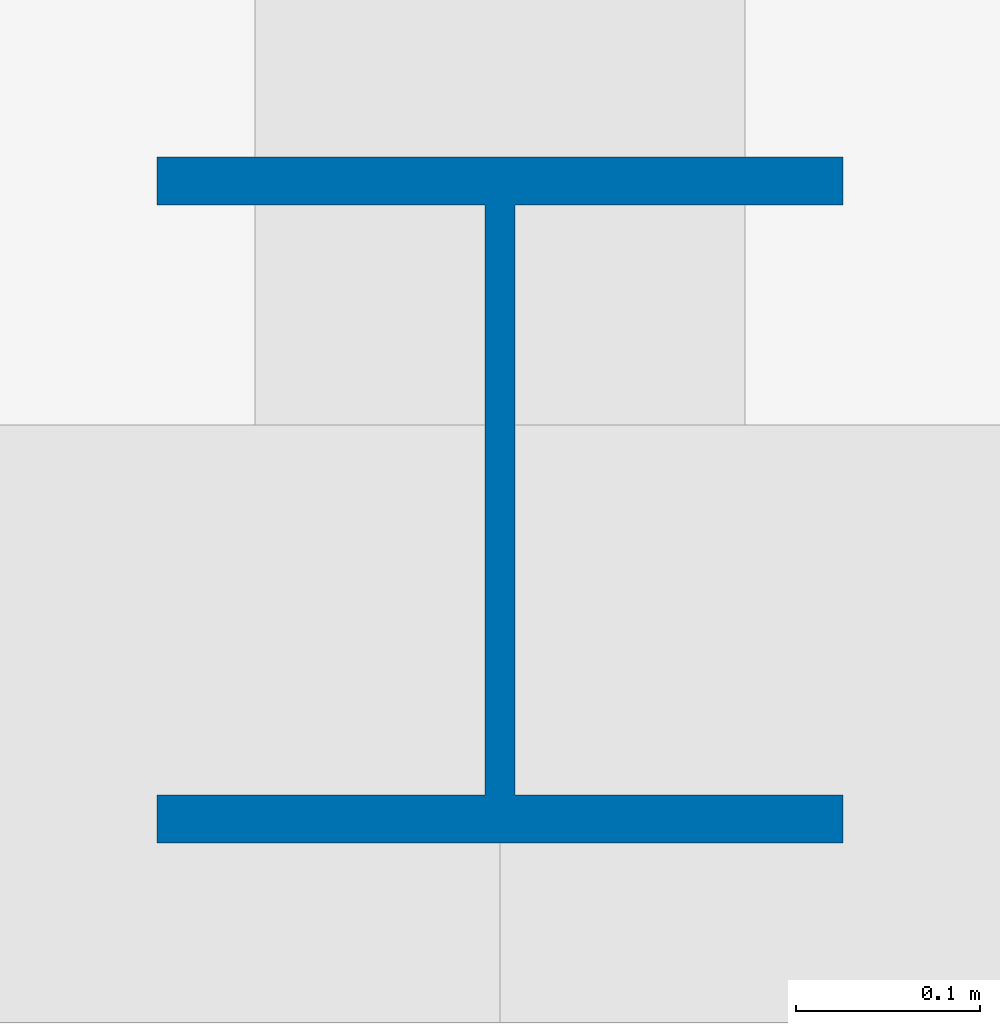
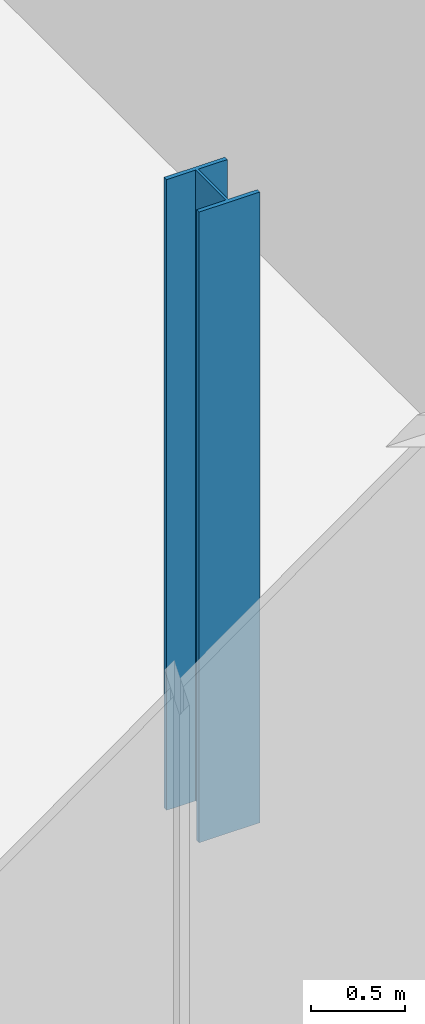
# One storey, part 2 of 20: 1 column.
"""IFC4 building model written with IfcOpenShell, lengths in metres."""

from ifc_helpers import new_model, si_unit, direction, frame, origin, origin_2d, place, context, subcontext, project, spatial, i_section, extrude, material, material_profile, profile_set, type_object, element, save


model = new_model("IFC4")

# Units and contexts
model_context = context("Model", 3, precision=1e-05, world=origin(), true_north=direction((0.0, 1.0)))
body_context = subcontext(model_context, "Body", "Model", "MODEL_VIEW")
ifc_project = project(units=[si_unit("LENGTHUNIT", "METRE"), si_unit("AREAUNIT", "SQUARE_METRE"), si_unit("VOLUMEUNIT", "CUBIC_METRE"), si_unit("PLANEANGLEUNIT", "RADIAN"), si_unit("MASSUNIT", "GRAM", prefix="KILO")], contexts=[model_context])

# Site, building, storey
site_placement = place(None, origin())
site = spatial("IfcSite", under=ifc_project, at=site_placement, CompositionType="ELEMENT")
building_placement = place(site_placement, origin())
building = spatial("IfcBuilding", under=site, at=building_placement, Name="Bicima Exchange Tower", CompositionType="ELEMENT")
storey_placement = place(building_placement, frame((0.0, 0.0, 219.60009765625)))
storey = spatial("IfcBuildingStorey", under=building, at=storey_placement, Name="L49", CompositionType="ELEMENT", Elevation=219.60009765625)

# Column
ifc_material = material(Name="Steel ASTM A992 Gr 50", Category="steel")
ifc_material_profile = material_profile(ifc_material, i_section(OverallWidth=0.373291015625, OverallDepth=0.373291015625, WebThickness=0.016357421875, FlangeThickness=0.026123046875, at=origin_2d()))
ifc_profile_set = profile_set([ifc_material_profile], Name="Steel ASTM A992 Gr 50")
column_type = type_object("IfcColumnType", Name="Perimeter column W14x132", PredefinedType="COLUMN", material=ifc_profile_set)
column_placement = place(storey_placement, frame((26.10009765625, -28.986083984375, 0.0), z_axis=(0.0, 0.0, 1.0), x_axis=(1.0, 0.0, 0.0)))
element("IfcColumn", 1, at=column_placement, inside=storey, type_object=column_type, Name="Perimeter column grav+26.1f", PredefinedType="COLUMN", context=body_context, shape_type="SweptSolid", body=[
    extrude(i_section(OverallWidth=0.373291015625, OverallDepth=0.373291015625, WebThickness=0.016357421875, FlangeThickness=0.026123046875, at=origin_2d()), origin(), (0.0, 0.0, 1.0), 4.099853515625),
])

save(model, "model.ifc")
